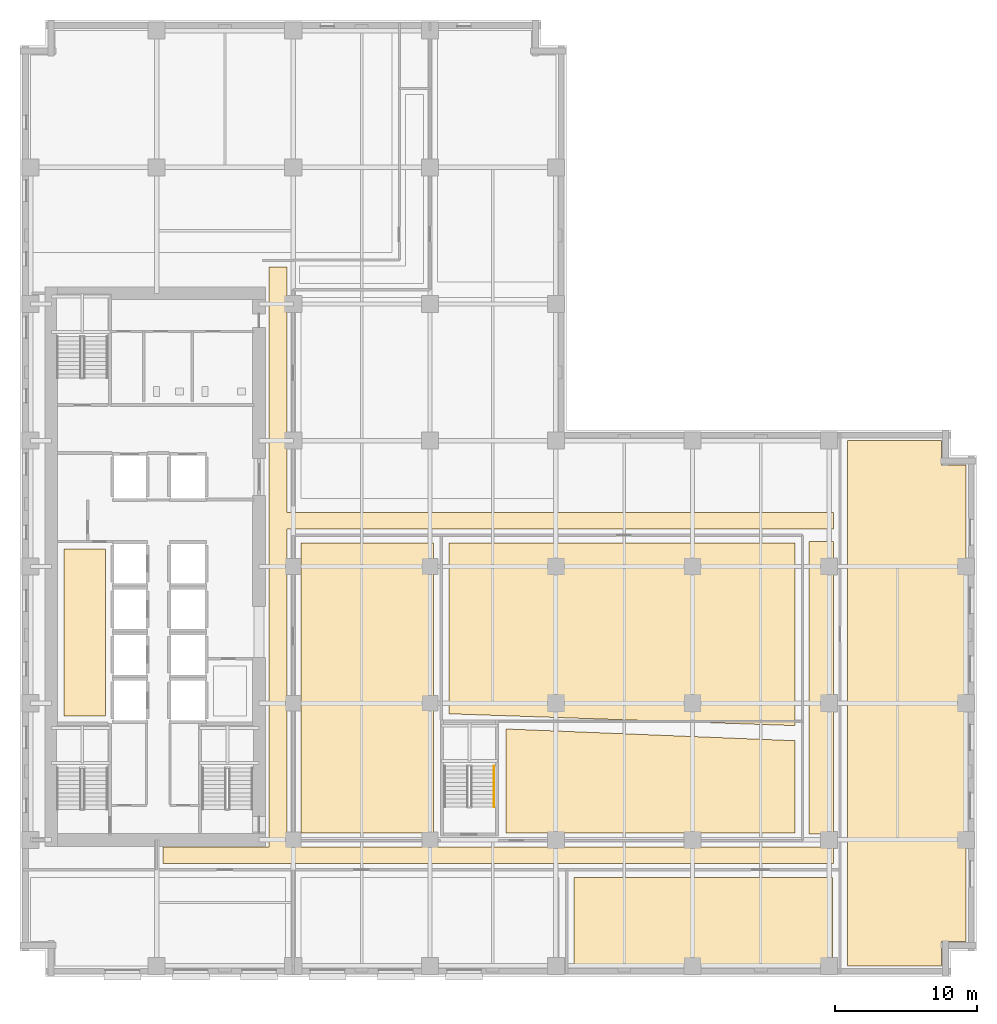
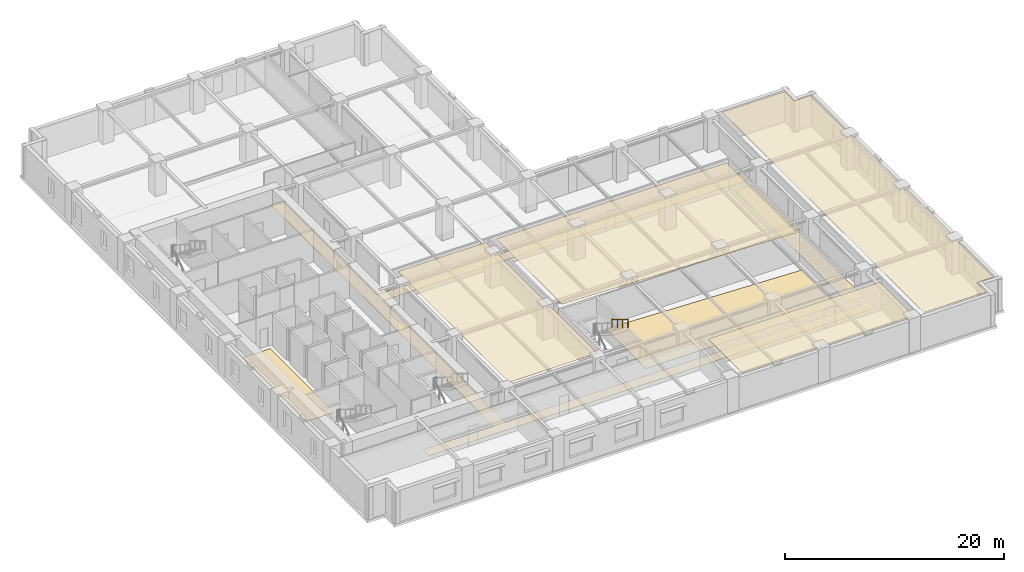
# One storey, part 11 of 14: 8 coverings, 1 railing.
"""IFC4 building model written with IfcOpenShell, lengths in metres."""

from ifc_helpers import new_model, si_unit, direction, frame, origin, origin_2d, place, context, subcontext, project, spatial, polyline, circle, outline, extrude, material, layer, layer_set, type_object, element, save


model = new_model("IFC4")

# Units and contexts
model_context = context("Model", 3, precision=1e-05, world=origin(), true_north=direction((0.0, 1.0)))
body_context = subcontext(model_context, "Body", "Model", "MODEL_VIEW")
ifc_project = project(units=[si_unit("LENGTHUNIT", "METRE"), si_unit("AREAUNIT", "SQUARE_METRE"), si_unit("VOLUMEUNIT", "CUBIC_METRE"), si_unit("PLANEANGLEUNIT", "RADIAN"), si_unit("MASSUNIT", "GRAM", prefix="KILO")], contexts=[model_context])

# Site, building, storey
site_placement = place(None, origin())
site = spatial("IfcSite", under=ifc_project, at=site_placement, CompositionType="ELEMENT")
building_placement = place(site_placement, origin())
building = spatial("IfcBuilding", under=site, at=building_placement, Name="Norrvale University Quadrangle", CompositionType="ELEMENT")
storey_placement = place(building_placement, frame((0.0, 0.0, 50.800048828125)))
storey = spatial("IfcBuildingStorey", under=building, at=storey_placement, Name="L12", CompositionType="ELEMENT", Elevation=50.800048828125)

# Coverings
ifc_material_1 = material(Name="Perforated Acoustic Mineral Ceiling")
ifc_layer_1 = layer(ifc_material_1, 0.02490234375, Name="Perforated Acoustic Mineral Ceiling")
ifc_layer_set_1 = layer_set([ifc_layer_1], Name="Perforated Acoustic Mineral Ceiling")
covering_type_1 = type_object("IfcCoveringType", Name="Covering Acoustic Ceiling 25", PredefinedType="CEILING", material=ifc_layer_set_1)
covering_1_placement = place(storey_placement, frame((0.0, 0.0, 3.514892578125)))
element("IfcCovering", 1, at=covering_1_placement, inside=storey, type_object=covering_type_1, Name="Acoustic Ceiling RM-L12-S03", PredefinedType="CEILING", context=body_context, shape_type="SweptSolid", body=[
    extrude(outline(polyline([(38.929931640625, 6.969970703125), (57.070068359375, 6.969970703125), (57.070068359375, 0.75), (38.929931640625, 0.75), (38.929931640625, 6.969970703125)])), origin(), (0.0, 0.0, 1.0), 0.025146484375),
])
covering_2_placement = place(storey_placement, frame((0.0, 0.0, 3.514892578125)))
element("IfcCovering", 2, at=covering_2_placement, inside=storey, type_object=covering_type_1, Name="Acoustic Ceiling RM-L12-E01", PredefinedType="CEILING", context=body_context, shape_type="SweptSolid", body=[
    extrude(outline(polyline([(58.1298828125, 0.75), (58.1298828125, 37.64990234375), (64.72998046875, 37.64990234375), (64.72998046875, 35.929931640625), (66.449951171875, 35.929931640625), (66.449951171875, 2.469970703125), (64.72998046875, 2.469970703125), (64.72998046875, 0.75), (58.1298828125, 0.75)])), origin(), (0.0, 0.0, 1.0), 0.025146484375),
])
covering_3_placement = place(storey_placement, frame((0.0, 0.0, 3.514892578125)))
element("IfcCovering", 3, at=covering_3_placement, inside=storey, type_object=covering_type_1, Name="Acoustic Ceiling RM-L12-IW1", PredefinedType="CEILING", context=body_context, shape_type="SweptSolid", body=[
    extrude(outline(polyline([(19.72998046875, 10.080078125), (19.72998046875, 30.469970703125), (29.050048828125, 30.469970703125), (29.050048828125, 10.080078125), (19.72998046875, 10.080078125)])), origin(), (0.0, 0.0, 1.0), 0.025146484375),
])
covering_4_placement = place(storey_placement, frame((0.0, 0.0, 3.514892578125)))
element("IfcCovering", 4, at=covering_4_placement, inside=storey, type_object=covering_type_1, Name="Acoustic Ceiling RM-L12-ILH", PredefinedType="CEILING", context=body_context, shape_type="SweptSolid", body=[
    extrude(outline(polyline([(30.1298828125, 18.455078125), (30.1298828125, 30.469970703125), (54.445068359375, 30.469970703125), (54.445068359375, 17.6259765625), (30.1298828125, 18.455078125)])), origin(), (0.0, 0.0, 1.0), 0.025146484375),
])
ifc_material_2 = material(Name="Polished Terrazzo Flooring")
ifc_layer_2 = layer(ifc_material_2, 0.02490234375, Name="Polished Terrazzo Flooring")
ifc_layer_set_2 = layer_set([ifc_layer_2], Name="Polished Terrazzo Flooring")
covering_type_2 = type_object("IfcCoveringType", Name="Covering Terrazzo Floor 30", PredefinedType="FLOORING", material=ifc_layer_set_2)
covering_5_placement = place(storey_placement, origin())
element("IfcCovering", 5, at=covering_5_placement, inside=storey, type_object=covering_type_2, Name="Terrazzo Flooring RM-L12-WSTOR", PredefinedType="FLOORING", context=body_context, shape_type="SweptSolid", body=[
    extrude(outline(polyline([(3.10009765625, 18.300048828125), (3.10009765625, 30.030029296875), (6.0, 30.030029296875), (6.0, 18.300048828125), (3.10009765625, 18.300048828125)])), origin(), (0.0, 0.0, 1.0), 0.02490234375),
])
covering_6_placement = place(storey_placement, origin())
element("IfcCovering", 6, at=covering_6_placement, inside=storey, type_object=covering_type_2, Name="Terrazzo Flooring RM-L12-CORR1", PredefinedType="FLOORING", context=body_context, shape_type="SweptSolid", body=[
    extrude(outline(polyline([(10.050048828125, 7.949951171875), (10.050048828125, 9.10009765625), (17.5, 9.10009765625), (17.5, 49.85009765625), (18.75, 49.85009765625), (18.75, 32.60009765625), (57.14990234375, 32.60009765625), (57.14990234375, 31.449951171875), (18.75, 31.449951171875), (18.75, 9.10009765625), (57.14990234375, 9.10009765625), (57.14990234375, 7.949951171875), (10.050048828125, 7.949951171875)])), origin(), (0.0, 0.0, 1.0), 0.02490234375),
])
covering_7_placement = place(storey_placement, origin())
element("IfcCovering", 7, at=covering_7_placement, inside=storey, type_object=covering_type_2, Name="Terrazzo Flooring RM-L12-CORR2", PredefinedType="FLOORING", context=body_context, shape_type="SweptSolid", body=[
    extrude(outline(polyline([(55.425048828125, 10.0), (55.425048828125, 30.550048828125), (57.14990234375, 30.550048828125), (57.14990234375, 10.0), (55.425048828125, 10.0)])), origin(), (0.0, 0.0, 1.0), 0.02490234375),
])
covering_8_placement = place(storey_placement, origin())
element("IfcCovering", 8, at=covering_8_placement, inside=storey, type_object=covering_type_2, Name="Terrazzo Flooring RM-L12-ISE", PredefinedType="FLOORING", context=body_context, shape_type="SweptSolid", body=[
    extrude(outline(polyline([(34.14990234375, 10.080078125), (34.14990234375, 17.39111328125), (54.445068359375, 16.568115234375), (54.445068359375, 10.080078125), (34.14990234375, 10.080078125)])), origin(), (0.0, 0.0, 1.0), 0.02490234375),
])

# Railing
ifc_material_3 = material(Name="Stainless Steel 316L Handrail", Category="steel")
railing_type = type_object("IfcRailingType", Name="Railing Stair Handrail 920", PredefinedType="HANDRAIL", material=ifc_material_3)
railing_placement = place(storey_placement, frame((33.31005859375, 14.800048828125, 2.07275390625)))
element("IfcRailing", 9, at=railing_placement, inside=storey, type_object=railing_type, Name="Stair Upper Flight Handrail ST-04 L12", PredefinedType="HANDRAIL", context=body_context, shape_type="SweptSolid", body=[
    extrude(circle(Radius=0.02392578125, at=origin_2d()), frame((0.0, 0.0, 0.89599609375), z_axis=(0.0, -0.859160404282, 0.51170636083), x_axis=(1.0, 0.0, 0.0)), (0.0, 0.0, 1.0), 3.37548828125),
    extrude(circle(Radius=0.02099609375, at=origin_2d()), origin(), (0.0, 0.0, 1.0), 0.871826171875),
    extrude(circle(Radius=0.02099609375, at=origin_2d()), frame((0.0, -0.966796875, 0.57568359375)), (0.0, 0.0, 1.0), 0.871826171875),
    extrude(circle(Radius=0.02099609375, at=origin_2d()), frame((0.0, -1.933349609375, 1.151611328125)), (0.0, 0.0, 1.0), 0.871826171875),
    extrude(circle(Radius=0.02099609375, at=origin_2d()), frame((0.0, -2.900146484375, 1.727294921875)), (0.0, 0.0, 1.0), 0.871826171875),
])

save(model, "model.ifc")
